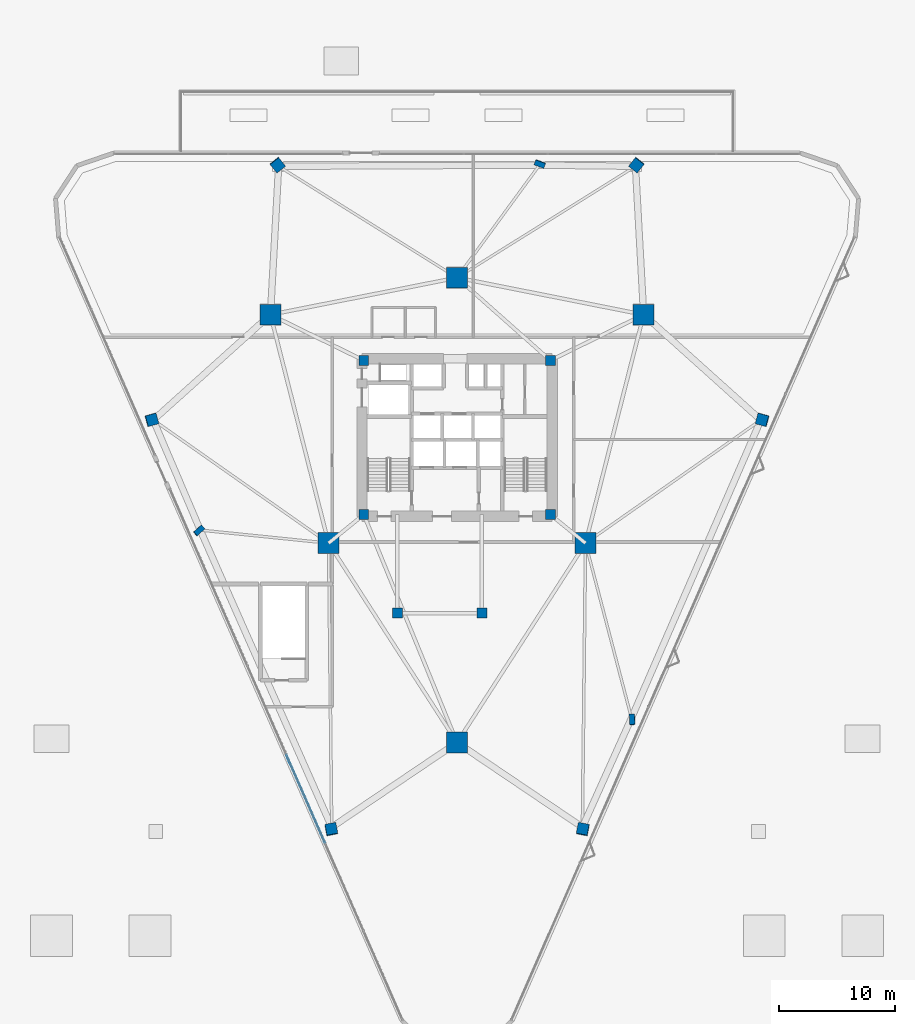
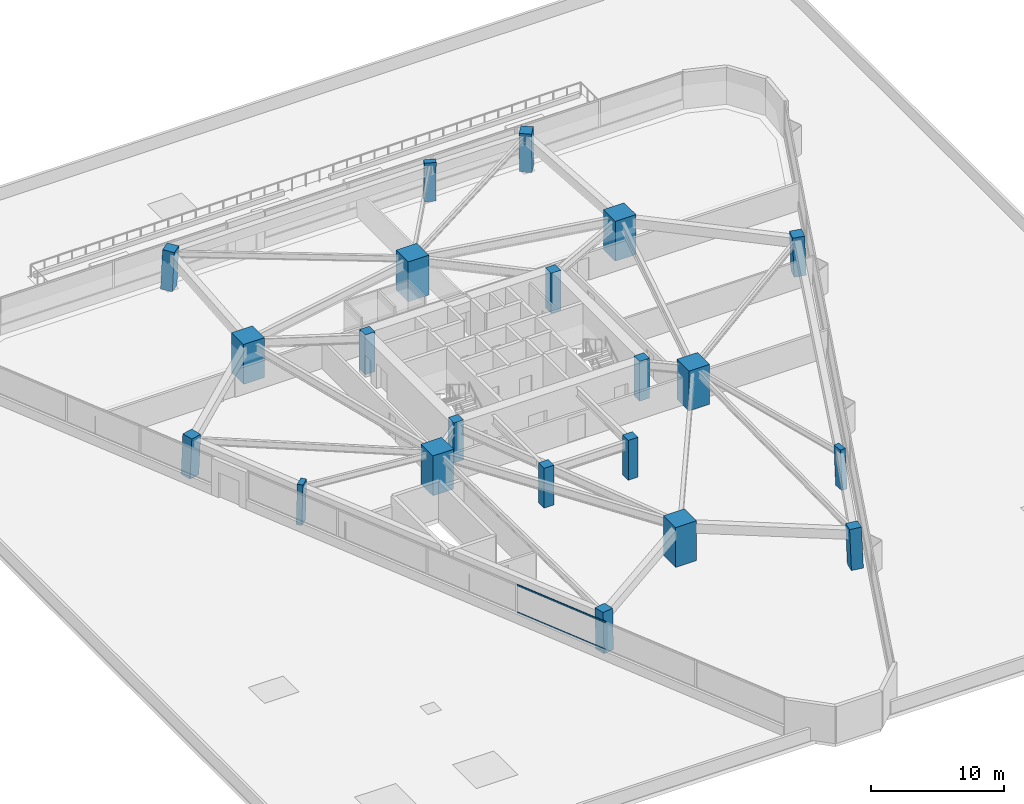
# One storey, part 1 of 21: 21 columns, 2 members, 1 element without a shape of its own.
"""IFC4 building model written with IfcOpenShell, lengths in metres."""

from ifc_helpers import new_model, si_unit, direction, frame, origin, origin_2d, place, context, subcontext, project, spatial, rectangle, extrude, material, layer, layer_set, material_profile, profile_set, type_object, element, aggregate, save


model = new_model("IFC4")

# Units and contexts
model_context = context("Model", 3, precision=1e-05, world=origin(), true_north=direction((0.0, 1.0)))
body_context = subcontext(model_context, "Body", "Model", "MODEL_VIEW")
ifc_project = project(units=[si_unit("LENGTHUNIT", "METRE"), si_unit("AREAUNIT", "SQUARE_METRE"), si_unit("VOLUMEUNIT", "CUBIC_METRE"), si_unit("PLANEANGLEUNIT", "RADIAN"), si_unit("MASSUNIT", "GRAM", prefix="KILO")], contexts=[model_context])

# Site, building, storey
site_placement = place(None, origin())
site = spatial("IfcSite", under=ifc_project, at=site_placement, CompositionType="ELEMENT")
building_placement = place(site_placement, origin())
building = spatial("IfcBuilding", under=site, at=building_placement, Name="Talyreon Biosciences Tower", CompositionType="ELEMENT")
storey_placement = place(building_placement, frame((0.0, 0.0, 22.800048828125)))
storey = spatial("IfcBuildingStorey", under=building, at=storey_placement, Name="L05", CompositionType="ELEMENT", Elevation=22.800048828125)

# Columns
ifc_material_1 = material(Name="Precast concrete C45/55", Category="concrete")
ifc_material_profile_1 = material_profile(ifc_material_1, rectangle(XDim=0.89990234375, YDim=0.449951171875, at=origin_2d()), Name="RC 900x450")
ifc_profile_set_1 = profile_set([ifc_material_profile_1], Name="Precast concrete C45/55")
column_type_1 = type_object("IfcColumnType", Name="FacadePilaster_900x450", PredefinedType="PILASTER", material=ifc_profile_set_1)
column_1_placement = place(storey_placement, frame((81.125, 43.65087890625, 0.0029296875), z_axis=(-0.019612054336, 0.038220078587, 0.999076870375), x_axis=(0.06064406897, -0.997383681524, 0.0393457587)))
element("IfcColumn", 1, at=column_1_placement, inside=storey, type_object=column_type_1, Name="L05 Facade Pilaster PL-SE", PredefinedType="PILASTER", context=body_context, shape_type="SweptSolid", body=[
    extrude(rectangle(XDim=0.89990234375, YDim=0.449951171875, at=origin_2d()), origin(), (0.0, 0.0, 1.0), 3.6474609375),
])
column_2_placement = place(storey_placement, frame((73.152099609375, 91.62646484375, 0.0029296875), z_axis=(-0.012453524816, -0.033477217246, 0.99936188923), x_axis=(-0.937250343901, 0.348657127931, 0.0)))
element("IfcColumn", 2, at=column_2_placement, inside=storey, type_object=column_type_1, Name="L05 Facade Pilaster PL-N", PredefinedType="PILASTER", context=body_context, shape_type="SweptSolid", body=[
    extrude(rectangle(XDim=0.89990234375, YDim=0.449951171875, at=origin_2d()), origin(), (0.0, 0.0, 1.0), 3.646484375),
])
column_3_placement = place(storey_placement, frame((43.722900390625, 59.970703125, 0.0029296875), z_axis=(0.032073367297, 0.010512565064, 0.999430230224), x_axis=(0.744835901835, 0.6665311743, -0.030913961634)))
element("IfcColumn", 3, at=column_3_placement, inside=storey, type_object=column_type_1, Name="L05 Facade Pilaster PL-SW", PredefinedType="PILASTER", context=body_context, shape_type="SweptSolid", body=[
    extrude(rectangle(XDim=0.89990234375, YDim=0.449951171875, at=origin_2d()), origin(), (0.0, 0.0, 1.0), 3.646240234375),
])
ifc_material_2 = material(Name="Concrete C60/75", Category="concrete")
ifc_material_profile_2 = material_profile(ifc_material_2, rectangle(XDim=1.800048828125, YDim=1.800048828125, at=origin_2d()), Name="RC 1800x1800")
ifc_profile_set_2 = profile_set([ifc_material_profile_2], Name="Concrete C60/75")
column_type_2 = type_object("IfcColumnType", Name="MegaColumn_1800", PredefinedType="COLUMN", material=ifc_profile_set_2)
for number, where, z_axis, x_axis, name in (
    (4, (66.0, 41.6669921875, 0.0), (0.0, 0.0, 1.0), (1.0, 0.0, 0.0), "L05 Composite Mega-Column MC1"),
    (5, (82.102294921875, 78.5986328125, 0.0), (0.0, 0.0, 1.0), (1.0, 0.0, 0.0), "L05 Composite Mega-Column MC2"),
    (6, (49.897705078125, 78.5986328125, 0.0), (0.0, 0.0, 1.0), (1.0, 0.0, 0.0), "L05 Composite Mega-Column MC3"),
    (7, (77.086181640625, 58.88037109375, 0.0), (0.0, 0.0, 1.0), (1.0, 0.0, 0.0), "L05 Composite Mega-Column MC4"),
    (8, (66.0, 81.788818359375, 0.0), (0.0, 0.0, 1.0), (1.0, 0.0, 0.0), "L05 Composite Mega-Column MC5"),
    (9, (54.913818359375, 58.88037109375, 0.0), (0.0, 0.0, 1.0), (1.0, 0.0, 0.0), "L05 Composite Mega-Column MC6"),
):
    element("IfcColumn", number, at=place(storey_placement, frame(where, z_axis=z_axis, x_axis=x_axis)), inside=storey, type_object=column_type_2, Name=name, PredefinedType="COLUMN", context=body_context, shape_type="SweptSolid", body=[
        extrude(rectangle(XDim=1.800048828125, YDim=1.800048828125, at=origin_2d()), origin(), (0.0, 0.0, 1.0), 3.64990234375),
    ])
ifc_material_profile_3 = material_profile(ifc_material_2, rectangle(XDim=0.85009765625, YDim=0.85009765625, at=origin_2d()), Name="RC 850x850")
ifc_profile_set_3 = profile_set([ifc_material_profile_3], Name="Concrete C60/75")
column_type_3 = type_object("IfcColumnType", Name="PerimeterColumn_850", PredefinedType="COLUMN", material=ifc_profile_set_3)
for number, where, z_axis, x_axis, name in (
    (10, (57.949951171875, 61.35009765625, 0.0), (0.0, 0.0, 1.0), (1.0, 0.0, 0.0), "L05 Core Column CC1"),
    (11, (74.050048828125, 61.35009765625, 0.0), (0.0, 0.0, 1.0), (1.0, 0.0, 0.0), "L05 Core Column CC2"),
    (12, (74.050048828125, 74.64990234375, 0.0), (0.0, 0.0, 1.0), (1.0, 0.0, 0.0), "L05 Core Column CC3"),
    (13, (57.949951171875, 74.64990234375, 0.0), (0.0, 0.0, 1.0), (1.0, 0.0, 0.0), "L05 Core Column CC4"),
    (14, (60.85009765625, 52.840087890625, 0.0), (0.0, 0.0, 1.0), (1.0, 0.0, 0.0), "L05 Core Column CSW"),
    (15, (68.14990234375, 52.840087890625, 0.0), (0.0, 0.0, 1.0), (1.0, 0.0, 0.0), "L05 Core Column CSE"),
):
    element("IfcColumn", number, at=place(storey_placement, frame(where, z_axis=z_axis, x_axis=x_axis)), inside=storey, type_object=column_type_3, Name=name, PredefinedType="COLUMN", context=body_context, shape_type="SweptSolid", body=[
        extrude(rectangle(XDim=0.85009765625, YDim=0.85009765625, at=origin_2d()), origin(), (0.0, 0.0, 1.0), 3.64990234375),
    ])
ifc_material_profile_4 = material_profile(ifc_material_2, rectangle(XDim=0.949951171875, YDim=0.949951171875, at=origin_2d()), Name="RC 950x950")
ifc_profile_set_4 = profile_set([ifc_material_profile_4], Name="Concrete C60/75")
column_type_4 = type_object("IfcColumnType", Name="PerimeterColumn_950", PredefinedType="COLUMN", material=ifc_profile_set_4)
column_4_placement = place(storey_placement, frame((76.861328125, 34.1708984375, 0.0029296875), z_axis=(-0.012375141264, 0.054450621561, 0.998439775695), x_axis=(-0.188739142008, -0.980694587215, 0.051143551703)))
element("IfcColumn", 16, at=column_4_placement, inside=storey, type_object=column_type_4, Name="L05 Tapering Perimeter Column PC-SE1", PredefinedType="COLUMN", context=body_context, shape_type="SweptSolid", body=[
    extrude(rectangle(XDim=0.949951171875, YDim=0.949951171875, at=origin_2d()), origin(), (0.0, 0.0, 1.0), 3.649658203125),
])
column_5_placement = place(storey_placement, frame((92.357421875, 69.531005859375, 0.0029296875), z_axis=(-0.039296319589, -0.005757212069, 0.99921101564), x_axis=(0.963703994598, -0.264483260231, 0.036376034065)))
element("IfcColumn", 17, at=column_5_placement, inside=storey, type_object=column_type_4, Name="L05 Tapering Perimeter Column PC-SE2", PredefinedType="COLUMN", context=body_context, shape_type="SweptSolid", body=[
    extrude(rectangle(XDim=0.949951171875, YDim=0.949951171875, at=origin_2d()), origin(), (0.0, 0.0, 1.0), 3.64697265625),
])
for number, where, z_axis, x_axis, name in (
    (18, (81.49609375, 91.526611328125, 0.0029296875), (-0.026907963191, -0.033534551141, 0.999075270136), (-0.779956681152, 0.625833504637, 0.0), "L05 Tapering Perimeter Column PC-N1"),
    (19, (50.50390625, 91.526611328125, 0.0029296875), (0.026907963191, -0.033534551141, 0.999075270136), (-0.779956681152, -0.625833504637, 0.0), "L05 Tapering Perimeter Column PC-N2"),
):
    element("IfcColumn", number, at=place(storey_placement, frame(where, z_axis=z_axis, x_axis=x_axis)), inside=storey, type_object=column_type_4, Name=name, PredefinedType="COLUMN", context=body_context, shape_type="SweptSolid", body=[
        extrude(rectangle(XDim=0.949951171875, YDim=0.949951171875, at=origin_2d()), origin(), (0.0, 0.0, 1.0), 3.6474609375),
    ])
column_6_placement = place(storey_placement, frame((39.642578125, 69.531005859375, 0.0029296875), z_axis=(0.039296319589, -0.005757212069, 0.99921101564), x_axis=(0.963703994598, 0.264483260231, -0.036376034065)))
element("IfcColumn", 20, at=column_6_placement, inside=storey, type_object=column_type_4, Name="L05 Tapering Perimeter Column PC-SW1", PredefinedType="COLUMN", context=body_context, shape_type="SweptSolid", body=[
    extrude(rectangle(XDim=0.949951171875, YDim=0.949951171875, at=origin_2d()), origin(), (0.0, 0.0, 1.0), 3.64697265625),
])
column_7_placement = place(storey_placement, frame((55.138671875, 34.1708984375, 0.0029296875), z_axis=(0.012375141264, 0.054450621561, 0.998439775695), x_axis=(-0.188739142008, 0.980694587215, -0.051143551703)))
element("IfcColumn", 21, at=column_7_placement, inside=storey, type_object=column_type_4, Name="L05 Tapering Perimeter Column PC-SW2", PredefinedType="COLUMN", context=body_context, shape_type="SweptSolid", body=[
    extrude(rectangle(XDim=0.949951171875, YDim=0.949951171875, at=origin_2d()), origin(), (0.0, 0.0, 1.0), 3.649658203125),
])

# Curtain wall, members
ifc_material_3 = material(Name="Thermally broken aluminium and low-E glazing", Category="aluminium")
ifc_layer = layer(ifc_material_3, 0.195068359375)
ifc_layer_set = layer_set([ifc_layer], Name="Thermally broken aluminium and low-E glazing")
curtain_wall_type = type_object("IfcCurtainWallType", Name="CurtainWall_Zone1WetLab", PredefinedType="NOTDEFINED", material=ifc_layer_set)
curtain_wall_placement = place(storey_placement, origin())
curtain_wall = element("IfcCurtainWall", 22, at=curtain_wall_placement, inside=storey, type_object=curtain_wall_type, Name="L05 Unitised Curtain Wall FCW-L05-00A", PredefinedType="NOTDEFINED")
ifc_material_4 = material(Name="Anodised thermally broken aluminium", Category="aluminium")
ifc_material_profile_5 = material_profile(ifc_material_4, rectangle(XDim=0.06494140625, YDim=0.139892578125, at=origin_2d()), Name="ALUM TRANSOM 65x140")
ifc_profile_set_5 = profile_set([ifc_material_profile_5], Name="Anodised thermally broken aluminium")
member_type = type_object("IfcMemberType", Name="CWTransom_65x140", PredefinedType="USERDEFINED", material=ifc_profile_set_5)
member_1_placement = place(storey_placement, frame((54.60205078125, 33.031005859375, 0.842529296875), z_axis=(-0.401340281012, 0.915929025, 0.0), x_axis=(-0.915929025, -0.401340281012, 0.0)))
member_1 = element("IfcMember", 23, at=member_1_placement, type_object=member_type, Name="CW2 transom 3.1", ObjectType="TRANSOM", PredefinedType="USERDEFINED", context=body_context, shape_type="SweptSolid", body=[
    extrude(rectangle(XDim=0.06494140625, YDim=0.139892578125, at=origin_2d()), origin(), (0.0, 0.0, 1.0), 8.276123046875),
])
member_2_placement = place(storey_placement, frame((54.60205078125, 33.031005859375, 3.342529296875), z_axis=(-0.401340281012, 0.915929025, 0.0), x_axis=(-0.915929025, -0.401340281012, 0.0)))
member_2 = element("IfcMember", 24, at=member_2_placement, type_object=member_type, Name="CW2 transom 3.2", ObjectType="TRANSOM", PredefinedType="USERDEFINED", context=body_context, shape_type="SweptSolid", body=[
    extrude(rectangle(XDim=0.06494140625, YDim=0.139892578125, at=origin_2d()), origin(), (0.0, 0.0, 1.0), 8.276123046875),
])
aggregate(curtain_wall, [member_1, member_2])

save(model, "model.ifc")
